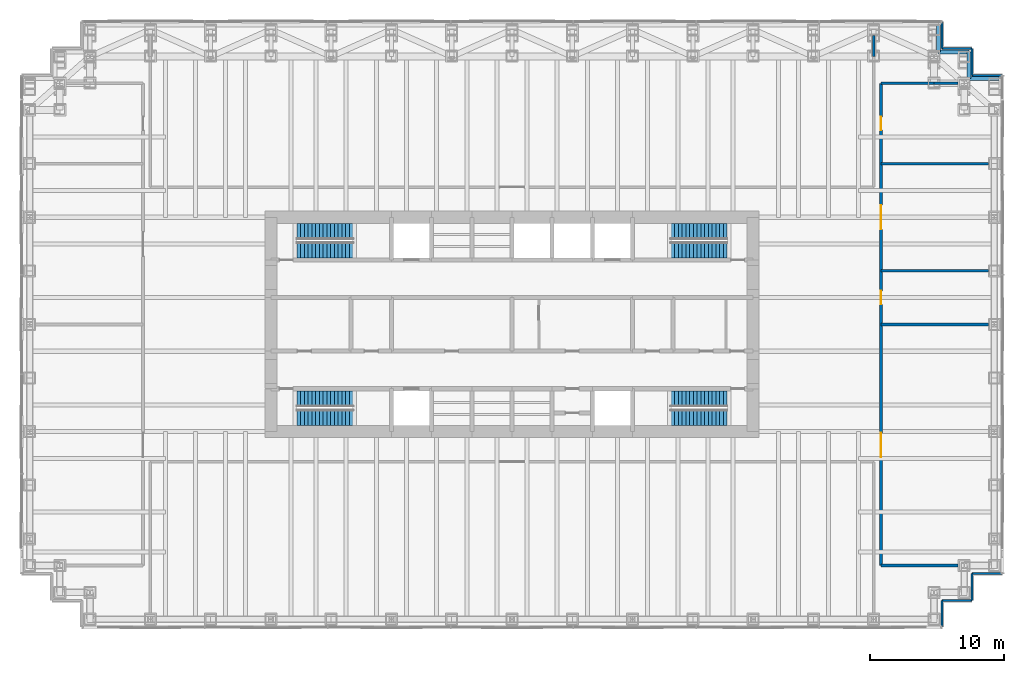
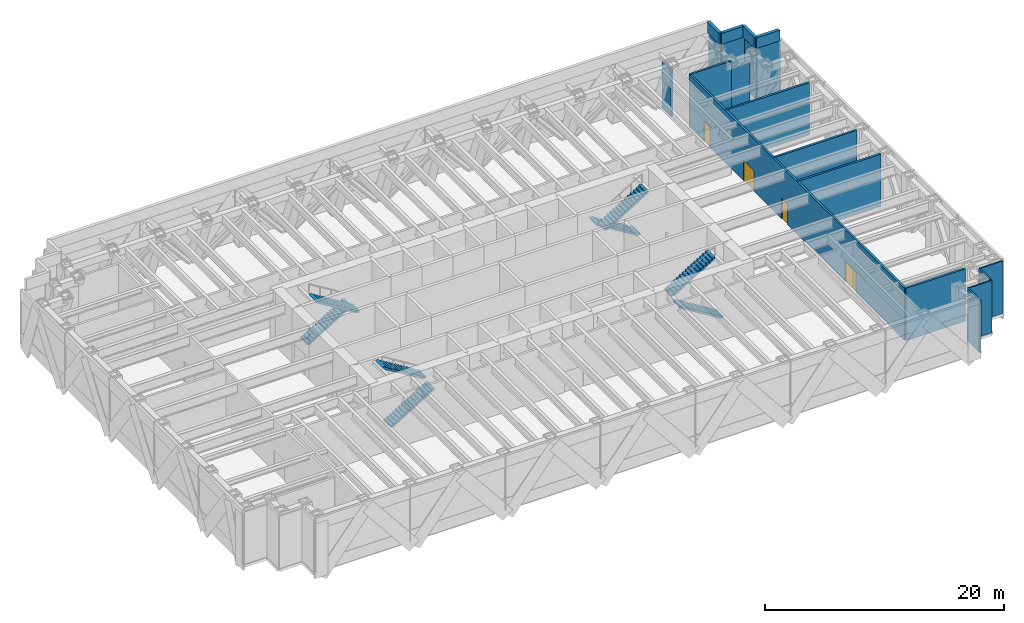
# One storey, part 15 of 16: 20 walls, 8 stair flights, 4 doors, 4 openings, 4 elements without a shape of their own.
"""IFC4 building model written with IfcOpenShell, lengths in metres."""

from ifc_helpers import new_model, si_unit, direction, frame, frame_2d, origin, place, context, subcontext, project, spatial, polyline, rectangle, outline, extrude, material, layer, layer_set, type_object, element, fill, aggregate, save


model = new_model("IFC4")

# Units and contexts
model_context = context("Model", 3, precision=1e-05, world=origin(), true_north=direction((0.0, 1.0)))
body_context = subcontext(model_context, "Body", "Model", "MODEL_VIEW")
ifc_project = project(units=[si_unit("LENGTHUNIT", "METRE"), si_unit("AREAUNIT", "SQUARE_METRE"), si_unit("VOLUMEUNIT", "CUBIC_METRE"), si_unit("PLANEANGLEUNIT", "RADIAN"), si_unit("MASSUNIT", "GRAM", prefix="KILO")], contexts=[model_context])

# Site, building, storey
site_placement = place(None, origin())
site = spatial("IfcSite", under=ifc_project, at=site_placement, CompositionType="ELEMENT")
building_placement = place(site_placement, origin())
building = spatial("IfcBuilding", under=site, at=building_placement, Name="Rheinbord Bourse Tower", CompositionType="ELEMENT")
storey_placement = place(building_placement, frame((0.0, 0.0, 180.300048828125)))
storey = spatial("IfcBuildingStorey", under=building, at=storey_placement, Name="L40", CompositionType="ELEMENT", Elevation=180.300048828125)

# Walls
ifc_material_1 = material(Name="Black metal rainscreen panel", Category="aluminium")
ifc_layer_1 = layer(ifc_material_1, 0.14990234375)
ifc_layer_set_1 = layer_set([ifc_layer_1], Name="CORNER PIER CLADDING 150")
wall_type_1 = type_object("IfcWallType", Name="CORNER PIER CLADDING 150", PredefinedType="ELEMENTEDWALL", material=ifc_layer_set_1)
wall_1_placement = place(storey_placement, frame((68.10009765625, 1.39990234375, 0.0), z_axis=(0.0, 0.0, 1.0), x_axis=(0.0, 1.0, 0.0)))
element("IfcWall", 1, at=wall_1_placement, inside=storey, type_object=wall_type_1, Name="Corner pier cladding L40 2", PredefinedType="ELEMENTEDWALL", context=body_context, shape_type="SweptSolid", body=[
    extrude(rectangle(XDim=2.0, YDim=0.14990234375, at=frame_2d((1.0, 0.0))), origin(), (0.0, 0.0, 1.0), 5.33984375),
])
wall_2_placement = place(storey_placement, frame((68.10009765625, 3.39990234375, 0.0), z_axis=(0.0, 0.0, 1.0), x_axis=(1.0, 0.0, 0.0)))
element("IfcWall", 2, at=wall_2_placement, inside=storey, type_object=wall_type_1, Name="Corner pier cladding L40 3", PredefinedType="ELEMENTEDWALL", context=body_context, shape_type="SweptSolid", body=[
    extrude(rectangle(XDim=2.25, YDim=0.14990234375, at=frame_2d((1.125, 0.0))), origin(), (0.0, 0.0, 1.0), 5.33984375),
])
wall_3_placement = place(storey_placement, frame((70.35009765625, 3.39990234375, 0.0), z_axis=(0.0, 0.0, 1.0), x_axis=(0.0, 1.0, 0.0)))
element("IfcWall", 3, at=wall_3_placement, inside=storey, type_object=wall_type_1, Name="Corner pier cladding L40 4", PredefinedType="ELEMENTEDWALL", context=body_context, shape_type="SweptSolid", body=[
    extrude(rectangle(XDim=2.0, YDim=0.14990234375, at=frame_2d((1.0, 0.0))), origin(), (0.0, 0.0, 1.0), 5.33984375),
])
for number, where, z_axis, x_axis, name in (
    (4, (70.35009765625, 5.39990234375, 0.0), (0.0, 0.0, 1.0), (1.0, 0.0, 0.0), "Corner pier cladding L40 5"),
    (5, (72.60009765625, 42.60009765625, 0.0), (0.0, 0.0, 1.0), (-1.0, 0.0, 0.0), "Corner pier cladding L40 7"),
):
    element("IfcWall", number, at=place(storey_placement, frame(where, z_axis=z_axis, x_axis=x_axis)), inside=storey, type_object=wall_type_1, Name=name, PredefinedType="ELEMENTEDWALL", context=body_context, shape_type="SweptSolid", body=[
        extrude(rectangle(XDim=2.25, YDim=0.14990234375, at=frame_2d((1.125, 0.0))), origin(), (0.0, 0.0, 1.0), 5.33984375),
    ])
wall_4_placement = place(storey_placement, frame((70.35009765625, 42.60009765625, 0.0), z_axis=(0.0, 0.0, 1.0), x_axis=(0.0, 1.0, 0.0)))
element("IfcWall", 6, at=wall_4_placement, inside=storey, type_object=wall_type_1, Name="Corner pier cladding L40 8", PredefinedType="ELEMENTEDWALL", context=body_context, shape_type="SweptSolid", body=[
    extrude(rectangle(XDim=2.0, YDim=0.14990234375, at=frame_2d((1.0, 0.0))), origin(), (0.0, 0.0, 1.0), 5.33984375),
])
wall_5_placement = place(storey_placement, frame((70.35009765625, 44.60009765625, 0.0), z_axis=(0.0, 0.0, 1.0), x_axis=(-1.0, 0.0, 0.0)))
element("IfcWall", 7, at=wall_5_placement, inside=storey, type_object=wall_type_1, Name="Corner pier cladding L40 9", PredefinedType="ELEMENTEDWALL", context=body_context, shape_type="SweptSolid", body=[
    extrude(rectangle(XDim=2.25, YDim=0.14990234375, at=frame_2d((1.125, 0.0))), origin(), (0.0, 0.0, 1.0), 5.33984375),
])
wall_6_placement = place(storey_placement, frame((68.10009765625, 44.60009765625, 0.0), z_axis=(0.0, 0.0, 1.0), x_axis=(0.0, 1.0, 0.0)))
element("IfcWall", 8, at=wall_6_placement, inside=storey, type_object=wall_type_1, Name="Corner pier cladding L40 10", PredefinedType="ELEMENTEDWALL", context=body_context, shape_type="SweptSolid", body=[
    extrude(rectangle(XDim=2.0, YDim=0.14990234375, at=frame_2d((1.0, 0.0))), origin(), (0.0, 0.0, 1.0), 5.33984375),
])
ifc_material_2 = material(Name="Concrete C30/37", Category="concrete")
ifc_layer_2 = layer(ifc_material_2, 0.300048828125)
ifc_layer_set_2 = layer_set([ifc_layer_2], Name="PARAPET 300")
wall_type_2 = type_object("IfcWallType", Name="PARAPET 300", PredefinedType="PARAPET", material=ifc_layer_set_2)
wall_7_placement = place(storey_placement, frame((72.35009765625, 42.35009765625, 5.5), z_axis=(0.0, 0.0, 1.0), x_axis=(-1.0, 0.0, 0.0)))
element("IfcWall", 9, at=wall_7_placement, inside=storey, type_object=wall_type_2, Name="Setback parapet L41 1", PredefinedType="PARAPET", context=body_context, shape_type="SweptSolid", body=[
    extrude(rectangle(XDim=2.25, YDim=0.300048828125, at=frame_2d((1.125, 0.0))), origin(), (0.0, 0.0, 1.0), 1.099853515625),
])
wall_8_placement = place(storey_placement, frame((70.10009765625, 42.35009765625, 5.5), z_axis=(0.0, 0.0, 1.0), x_axis=(0.0, 1.0, 0.0)))
element("IfcWall", 10, at=wall_8_placement, inside=storey, type_object=wall_type_2, Name="Setback parapet L41 2", PredefinedType="PARAPET", context=body_context, shape_type="SweptSolid", body=[
    extrude(rectangle(XDim=2.0, YDim=0.300048828125, at=frame_2d((1.0, 0.0))), origin(), (0.0, 0.0, 1.0), 1.099853515625),
])
wall_9_placement = place(storey_placement, frame((70.10009765625, 44.35009765625, 5.5), z_axis=(0.0, 0.0, 1.0), x_axis=(-1.0, 0.0, 0.0)))
element("IfcWall", 11, at=wall_9_placement, inside=storey, type_object=wall_type_2, Name="Setback parapet L41 3", PredefinedType="PARAPET", context=body_context, shape_type="SweptSolid", body=[
    extrude(rectangle(XDim=2.25, YDim=0.300048828125, at=frame_2d((1.125, 0.0))), origin(), (0.0, 0.0, 1.0), 1.099853515625),
])
wall_10_placement = place(storey_placement, frame((67.85009765625, 44.35009765625, 5.5), z_axis=(0.0, 0.0, 1.0), x_axis=(0.0, 1.0, 0.0)))
element("IfcWall", 12, at=wall_10_placement, inside=storey, type_object=wall_type_2, Name="Setback parapet L41 4", PredefinedType="PARAPET", context=body_context, shape_type="SweptSolid", body=[
    extrude(rectangle(XDim=2.0, YDim=0.300048828125, at=frame_2d((1.0, 0.0))), origin(), (0.0, 0.0, 1.0), 1.099853515625),
])
ifc_material_3 = material(Name="Concrete block plant room wall", Category="concrete")
ifc_layer_3 = layer(ifc_material_3, 0.199951171875)
ifc_layer_set_3 = layer_set([ifc_layer_3], Name="PLANT ROOM PARTITION 200 EI90")
wall_type_3 = type_object("IfcWallType", Name="PLANT ROOM PARTITION 200 EI90", PredefinedType="PARTITIONING", material=ifc_layer_set_3)
wall_11_placement = place(storey_placement, frame((63.550048828125, 6.0, 0.0), z_axis=(0.0, 0.0, 1.0), x_axis=(1.0, 0.0, 0.0)))
element("IfcWall", 13, at=wall_11_placement, inside=storey, type_object=wall_type_3, Name="Partition L40-02", PredefinedType="PARTITIONING", context=body_context, shape_type="SweptSolid", body=[
    extrude(rectangle(XDim=5.75, YDim=0.199951171875, at=frame_2d((2.875, 0.0))), origin(), (0.0, 0.0, 1.0), 5.33984375),
])
for number, where, z_axis, x_axis, name in (
    (14, (63.550048828125, 24.0, 0.0), (0.0, 0.0, 1.0), (1.0, 0.0, 0.0), "Partition L40-05"),
    (15, (63.550048828125, 28.0, 0.0), (0.0, 0.0, 1.0), (1.0, 0.0, 0.0), "Partition L40-06"),
    (16, (63.550048828125, 36.0, 0.0), (0.0, 0.0, 1.0), (1.0, 0.0, 0.0), "Partition L40-09"),
):
    element("IfcWall", number, at=place(storey_placement, frame(where, z_axis=z_axis, x_axis=x_axis)), inside=storey, type_object=wall_type_3, Name=name, PredefinedType="PARTITIONING", context=body_context, shape_type="SweptSolid", body=[
        extrude(rectangle(XDim=8.0, YDim=0.199951171875, at=frame_2d((4.0, 0.0))), origin(), (0.0, 0.0, 1.0), 5.33984375),
    ])
wall_12_placement = place(storey_placement, frame((63.550048828125, 42.0, 0.0), z_axis=(0.0, 0.0, 1.0), x_axis=(1.0, 0.0, 0.0)))
element("IfcWall", 17, at=wall_12_placement, inside=storey, type_object=wall_type_3, Name="Partition L40-11", PredefinedType="PARTITIONING", context=body_context, shape_type="SweptSolid", body=[
    extrude(rectangle(XDim=3.949951171875, YDim=0.199951171875, at=frame_2d((1.97509765625, 0.0))), origin(), (0.0, 0.0, 1.0), 5.33984375),
])
wall_13_placement = place(storey_placement, frame((67.5, 42.0, 0.0), z_axis=(0.0, 0.0, 1.0), x_axis=(1.0, 0.0, 0.0)))
element("IfcWall", 18, at=wall_13_placement, inside=storey, type_object=wall_type_3, Name="Partition L40-11b", PredefinedType="PARTITIONING", context=body_context, shape_type="SweptSolid", body=[
    extrude(rectangle(XDim=1.800048828125, YDim=0.199951171875, at=frame_2d((0.89990234375, 0.0))), origin(), (0.0, 0.0, 1.0), 4.639892578125),
])
wall_14_placement = place(storey_placement, frame((63.0, 44.0, 0.0), z_axis=(0.0, 0.0, 1.0), x_axis=(0.0, 1.0, 0.0)))
element("IfcWall", 19, at=wall_14_placement, inside=storey, type_object=wall_type_3, Name="Partition L40-16b", PredefinedType="PARTITIONING", context=body_context, shape_type="SweptSolid", body=[
    extrude(rectangle(XDim=1.550048828125, YDim=0.199951171875, at=frame_2d((0.77490234375, 0.0))), origin(), (0.0, 0.0, 1.0), 4.725830078125),
])

# Wall, openings, doors
wall_15_placement = place(storey_placement, frame((63.550048828125, 6.0, 0.0), z_axis=(0.0, 0.0, 1.0), x_axis=(0.0, 1.0, 0.0)))
wall_15 = element("IfcWall", 20, at=wall_15_placement, inside=storey, type_object=wall_type_3, Name="Partition L40-17", PredefinedType="PARTITIONING", context=body_context, shape_type="SweptSolid", body=[
    extrude(rectangle(XDim=36.0, YDim=0.199951171875, at=frame_2d((18.0, 0.0))), origin(), (0.0, 0.0, 1.0), 5.33984375),
])
opening_1_placement = place(wall_15_placement, frame((8.10009765625, 0.0, 0.0)))
opening_1 = element("IfcOpeningElement", 21, at=opening_1_placement, cuts=wall_15, Name="Opening 40P02", PredefinedType="OPENING", context=body_context, shape_type="SweptSolid", body=[
    extrude(rectangle(XDim=1.800048828125, YDim=2.10009765625, at=frame_2d((0.89990234375, 1.050048828125))), frame((0.0, 0.10986328125, 0.0), z_axis=(0.0, -1.0, 0.0), x_axis=(1.0, 0.0, 0.0)), (0.0, 0.0, 1.0), 0.219970703125),
])
opening_2_placement = place(wall_15_placement, frame((19.5, 0.0, 0.0)))
opening_2 = element("IfcOpeningElement", 22, at=opening_2_placement, cuts=wall_15, Name="Opening 40P04", PredefinedType="OPENING", context=body_context, shape_type="SweptSolid", body=[
    extrude(rectangle(XDim=1.0, YDim=2.10009765625, at=frame_2d((0.5, 1.050048828125))), frame((0.0, 0.10986328125, 0.0), z_axis=(0.0, -1.0, 0.0), x_axis=(1.0, 0.0, 0.0)), (0.0, 0.0, 1.0), 0.219970703125),
])
opening_3_placement = place(wall_15_placement, frame((25.10009765625, 0.0, 0.0)))
opening_3 = element("IfcOpeningElement", 23, at=opening_3_placement, cuts=wall_15, Name="Opening 40P06", PredefinedType="OPENING", context=body_context, shape_type="SweptSolid", body=[
    extrude(rectangle(XDim=1.800048828125, YDim=2.10009765625, at=frame_2d((0.89990234375, 1.050048828125))), frame((0.0, 0.10986328125, 0.0), z_axis=(0.0, -1.0, 0.0), x_axis=(1.0, 0.0, 0.0)), (0.0, 0.0, 1.0), 0.219970703125),
])
opening_4_placement = place(wall_15_placement, frame((32.5, 0.0, 0.0)))
opening_4 = element("IfcOpeningElement", 24, at=opening_4_placement, cuts=wall_15, Name="Opening 40P08", PredefinedType="OPENING", context=body_context, shape_type="SweptSolid", body=[
    extrude(rectangle(XDim=1.0, YDim=2.10009765625, at=frame_2d((0.5, 1.050048828125))), frame((0.0, 0.10986328125, 0.0), z_axis=(0.0, -1.0, 0.0), x_axis=(1.0, 0.0, 0.0)), (0.0, 0.0, 1.0), 0.219970703125),
])
ifc_material_4 = material(Name="Steel fire door", Category="steel")
door_type_1 = type_object("IfcDoorType", Name="PLANT ROOM DOOR 1000 EI60", OperationType="SINGLE_SWING_LEFT", PredefinedType="DOOR", material=ifc_material_4)
door_1_placement = place(opening_2_placement, origin())
door_1 = element("IfcDoor", 25, at=door_1_placement, inside=storey, type_object=door_type_1, Name="LV switch room door L40", OperationType="SINGLE_SWING_RIGHT", OverallHeight=2.10009765625, OverallWidth=1.0, PredefinedType="DOOR", context=body_context, shape_type="SweptSolid", body=[
    extrude(rectangle(XDim=1.0, YDim=2.10009765625, at=frame_2d((0.5, 1.050048828125))), frame((0.0, 0.02490234375, 0.0), z_axis=(0.0, -1.0, 0.0), x_axis=(1.0, 0.0, 0.0)), (0.0, 0.0, 1.0), 0.050048828125),
])
fill(opening_2, door_1)
door_2_placement = place(opening_4_placement, origin())
door_2 = element("IfcDoor", 26, at=door_2_placement, inside=storey, type_object=door_type_1, Name="Heat exchanger room door L40", OperationType="SINGLE_SWING_RIGHT", OverallHeight=2.10009765625, OverallWidth=1.0, PredefinedType="DOOR", context=body_context, shape_type="SweptSolid", body=[
    extrude(rectangle(XDim=1.0, YDim=2.10009765625, at=frame_2d((0.5, 1.050048828125))), frame((0.0, 0.02490234375, 0.0), z_axis=(0.0, -1.0, 0.0), x_axis=(1.0, 0.0, 0.0)), (0.0, 0.0, 1.0), 0.050048828125),
])
fill(opening_4, door_2)
ifc_material_5 = material(Name="Steel fire door", Category="steel")
door_type_2 = type_object("IfcDoorType", Name="PLANT ROOM DOUBLE DOOR 1800 EI60", OperationType="DOUBLE_DOOR_DOUBLE_SWING", PredefinedType="DOOR", material=ifc_material_5)
door_3_placement = place(opening_1_placement, origin())
door_3 = element("IfcDoor", 27, at=door_3_placement, inside=storey, type_object=door_type_2, Name="Air handling plant room door L40", OperationType="SINGLE_SWING_LEFT", OverallHeight=2.10009765625, OverallWidth=1.800048828125, PredefinedType="DOOR", context=body_context, shape_type="SweptSolid", body=[
    extrude(rectangle(XDim=1.800048828125, YDim=2.10009765625, at=frame_2d((0.89990234375, 1.050048828125))), frame((0.0, 0.02490234375, 0.0), z_axis=(0.0, -1.0, 0.0), x_axis=(1.0, 0.0, 0.0)), (0.0, 0.0, 1.0), 0.050048828125),
])
fill(opening_1, door_3)
door_4_placement = place(opening_3_placement, origin())
door_4 = element("IfcDoor", 28, at=door_4_placement, inside=storey, type_object=door_type_2, Name="Transformer room door L40", OperationType="SINGLE_SWING_LEFT", OverallHeight=2.10009765625, OverallWidth=1.800048828125, PredefinedType="DOOR", context=body_context, shape_type="SweptSolid", body=[
    extrude(rectangle(XDim=1.800048828125, YDim=2.10009765625, at=frame_2d((0.89990234375, 1.050048828125))), frame((0.0, 0.02490234375, 0.0), z_axis=(0.0, -1.0, 0.0), x_axis=(1.0, 0.0, 0.0)), (0.0, 0.0, 1.0), 0.050048828125),
])
fill(opening_3, door_4)

# Stair, stair flights
ifc_material_6 = material(Name="Concrete C30/37", Category="concrete")
stair_type = type_object("IfcStairType", Name="CORE STAIR HALF TURN 5500", PredefinedType="HALF_TURN_STAIR", material=ifc_material_6)
stair_1_placement = place(storey_placement, origin())
stair_1 = element("IfcStair", 29, at=stair_1_placement, inside=storey, type_object=stair_type, Name="Stair ST1 L40, type CS5", PredefinedType="HALF_TURN_STAIR")
ifc_material_7 = material(Name="Concrete C30/37", Category="concrete")
stair_flight_type = type_object("IfcStairFlightType", Name="CORE STAIR FLIGHT 1200, 16 RISERS", PredefinedType="STRAIGHT", material=ifc_material_7)
stair_flight_1_placement = place(storey_placement, frame((19.949951171875, 17.050048828125, 0.0), z_axis=(0.0, 0.0, 1.0), x_axis=(1.0, 0.0, 0.0)))
stair_flight_1 = element("IfcStairFlight", 30, at=stair_flight_1_placement, type_object=stair_flight_type, Name="STAIR L40 ST1 F1", NumberOfRisers=16, NumberOfTreads=15, PredefinedType="STRAIGHT", RiserHeight=0.171875, TreadLength=0.28, context=body_context, shape_type="SweptSolid", body=[
    extrude(outline(polyline([(0.0, 0.0), (0.0, 0.171875), (0.280029296875, 0.171875), (0.280029296875, 0.34375), (0.56005859375, 0.34375), (0.56005859375, 0.515625), (0.840087890625, 0.515625), (0.840087890625, 0.6875), (1.1201171875, 0.6875), (1.1201171875, 0.859375), (1.39990234375, 0.859375), (1.39990234375, 1.03125), (1.679931640625, 1.03125), (1.679931640625, 1.203125), (1.9599609375, 1.203125), (1.9599609375, 1.375), (2.239990234375, 1.375), (2.239990234375, 1.546875), (2.52001953125, 1.546875), (2.52001953125, 1.71875), (2.800048828125, 1.71875), (2.800048828125, 1.890625), (3.080078125, 1.890625), (3.080078125, 2.0625), (3.360107421875, 2.0625), (3.360107421875, 2.234375), (3.639892578125, 2.234375), (3.639892578125, 2.40625), (3.919921875, 2.40625), (3.919921875, 2.578125), (4.199951171875, 2.578125), (4.199951171875, 2.75), (4.199951171875, 2.40234375), (0.28662109375, 0.0), (0.0, 0.0)])), frame((0.0, 0.60009765625, 0.0), z_axis=(0.0, -1.0, 0.0), x_axis=(1.0, 0.0, 0.0)), (0.0, 0.0, 1.0), 1.199951171875),
])
stair_flight_2_placement = place(storey_placement, frame((24.14990234375, 18.449951171875, 2.75), z_axis=(0.0, 0.0, 1.0), x_axis=(-1.0, 0.0, 0.0)))
stair_flight_2 = element("IfcStairFlight", 31, at=stair_flight_2_placement, type_object=stair_flight_type, Name="STAIR L40 ST1 F2", NumberOfRisers=16, NumberOfTreads=15, PredefinedType="STRAIGHT", RiserHeight=0.171875, TreadLength=0.28, context=body_context, shape_type="SweptSolid", body=[
    extrude(outline(polyline([(0.0, 0.0), (0.0, 0.171875), (0.280029296875, 0.171875), (0.280029296875, 0.34375), (0.56005859375, 0.34375), (0.56005859375, 0.515625), (0.840087890625, 0.515625), (0.840087890625, 0.6875), (1.1201171875, 0.6875), (1.1201171875, 0.859375), (1.39990234375, 0.859375), (1.39990234375, 1.03125), (1.679931640625, 1.03125), (1.679931640625, 1.203125), (1.9599609375, 1.203125), (1.9599609375, 1.375), (2.239990234375, 1.375), (2.239990234375, 1.546875), (2.52001953125, 1.546875), (2.52001953125, 1.71875), (2.800048828125, 1.71875), (2.800048828125, 1.890625), (3.080078125, 1.890625), (3.080078125, 2.0625), (3.360107421875, 2.0625), (3.360107421875, 2.234375), (3.639892578125, 2.234375), (3.639892578125, 2.40625), (3.919921875, 2.40625), (3.919921875, 2.578125), (4.199951171875, 2.578125), (4.199951171875, 2.75), (4.199951171875, 2.40234375), (0.28662109375, 0.0), (0.0, 0.0)])), frame((0.0, 0.60009765625, 0.0), z_axis=(0.0, -1.0, 0.0), x_axis=(1.0, 0.0, 0.0)), (0.0, 0.0, 1.0), 1.199951171875),
])
aggregate(stair_1, [stair_flight_1, stair_flight_2])

stair_2_placement = place(storey_placement, origin())
stair_2 = element("IfcStair", 32, at=stair_2_placement, inside=storey, type_object=stair_type, Name="Stair ST2 L40, type CS5", PredefinedType="HALF_TURN_STAIR")
stair_flight_3_placement = place(storey_placement, frame((19.949951171875, 30.949951171875, 0.0), z_axis=(0.0, 0.0, 1.0), x_axis=(1.0, 0.0, 0.0)))
stair_flight_3 = element("IfcStairFlight", 33, at=stair_flight_3_placement, type_object=stair_flight_type, Name="STAIR L40 ST2 F1", NumberOfRisers=16, NumberOfTreads=15, PredefinedType="STRAIGHT", RiserHeight=0.171875, TreadLength=0.28, context=body_context, shape_type="SweptSolid", body=[
    extrude(outline(polyline([(0.0, 0.0), (0.0, 0.171875), (0.280029296875, 0.171875), (0.280029296875, 0.34375), (0.56005859375, 0.34375), (0.56005859375, 0.515625), (0.840087890625, 0.515625), (0.840087890625, 0.6875), (1.1201171875, 0.6875), (1.1201171875, 0.859375), (1.39990234375, 0.859375), (1.39990234375, 1.03125), (1.679931640625, 1.03125), (1.679931640625, 1.203125), (1.9599609375, 1.203125), (1.9599609375, 1.375), (2.239990234375, 1.375), (2.239990234375, 1.546875), (2.52001953125, 1.546875), (2.52001953125, 1.71875), (2.800048828125, 1.71875), (2.800048828125, 1.890625), (3.080078125, 1.890625), (3.080078125, 2.0625), (3.360107421875, 2.0625), (3.360107421875, 2.234375), (3.639892578125, 2.234375), (3.639892578125, 2.40625), (3.919921875, 2.40625), (3.919921875, 2.578125), (4.199951171875, 2.578125), (4.199951171875, 2.75), (4.199951171875, 2.40234375), (0.28662109375, 0.0), (0.0, 0.0)])), frame((0.0, 0.60009765625, 0.0), z_axis=(0.0, -1.0, 0.0), x_axis=(1.0, 0.0, 0.0)), (0.0, 0.0, 1.0), 1.199951171875),
])
stair_flight_4_placement = place(storey_placement, frame((24.14990234375, 29.550048828125, 2.75), z_axis=(0.0, 0.0, 1.0), x_axis=(-1.0, 0.0, 0.0)))
stair_flight_4 = element("IfcStairFlight", 34, at=stair_flight_4_placement, type_object=stair_flight_type, Name="STAIR L40 ST2 F2", NumberOfRisers=16, NumberOfTreads=15, PredefinedType="STRAIGHT", RiserHeight=0.171875, TreadLength=0.28, context=body_context, shape_type="SweptSolid", body=[
    extrude(outline(polyline([(0.0, 0.0), (0.0, 0.171875), (0.280029296875, 0.171875), (0.280029296875, 0.34375), (0.56005859375, 0.34375), (0.56005859375, 0.515625), (0.840087890625, 0.515625), (0.840087890625, 0.6875), (1.1201171875, 0.6875), (1.1201171875, 0.859375), (1.39990234375, 0.859375), (1.39990234375, 1.03125), (1.679931640625, 1.03125), (1.679931640625, 1.203125), (1.9599609375, 1.203125), (1.9599609375, 1.375), (2.239990234375, 1.375), (2.239990234375, 1.546875), (2.52001953125, 1.546875), (2.52001953125, 1.71875), (2.800048828125, 1.71875), (2.800048828125, 1.890625), (3.080078125, 1.890625), (3.080078125, 2.0625), (3.360107421875, 2.0625), (3.360107421875, 2.234375), (3.639892578125, 2.234375), (3.639892578125, 2.40625), (3.919921875, 2.40625), (3.919921875, 2.578125), (4.199951171875, 2.578125), (4.199951171875, 2.75), (4.199951171875, 2.40234375), (0.28662109375, 0.0), (0.0, 0.0)])), frame((0.0, 0.60009765625, 0.0), z_axis=(0.0, -1.0, 0.0), x_axis=(1.0, 0.0, 0.0)), (0.0, 0.0, 1.0), 1.199951171875),
])
aggregate(stair_2, [stair_flight_3, stair_flight_4])

stair_3_placement = place(storey_placement, origin())
stair_3 = element("IfcStair", 35, at=stair_3_placement, inside=storey, type_object=stair_type, Name="Stair ST3 L40, type CS5", PredefinedType="HALF_TURN_STAIR")
stair_flight_5_placement = place(storey_placement, frame((52.050048828125, 17.050048828125, 0.0), z_axis=(0.0, 0.0, 1.0), x_axis=(-1.0, 0.0, 0.0)))
stair_flight_5 = element("IfcStairFlight", 36, at=stair_flight_5_placement, type_object=stair_flight_type, Name="STAIR L40 ST3 F1", NumberOfRisers=16, NumberOfTreads=15, PredefinedType="STRAIGHT", RiserHeight=0.171875, TreadLength=0.28, context=body_context, shape_type="SweptSolid", body=[
    extrude(outline(polyline([(0.0, 0.0), (0.0, 0.171875), (0.280029296875, 0.171875), (0.280029296875, 0.34375), (0.56005859375, 0.34375), (0.56005859375, 0.515625), (0.840087890625, 0.515625), (0.840087890625, 0.6875), (1.1201171875, 0.6875), (1.1201171875, 0.859375), (1.39990234375, 0.859375), (1.39990234375, 1.03125), (1.679931640625, 1.03125), (1.679931640625, 1.203125), (1.9599609375, 1.203125), (1.9599609375, 1.375), (2.239990234375, 1.375), (2.239990234375, 1.546875), (2.52001953125, 1.546875), (2.52001953125, 1.71875), (2.800048828125, 1.71875), (2.800048828125, 1.890625), (3.080078125, 1.890625), (3.080078125, 2.0625), (3.360107421875, 2.0625), (3.360107421875, 2.234375), (3.639892578125, 2.234375), (3.639892578125, 2.40625), (3.919921875, 2.40625), (3.919921875, 2.578125), (4.199951171875, 2.578125), (4.199951171875, 2.75), (4.199951171875, 2.40234375), (0.28662109375, 0.0), (0.0, 0.0)])), frame((0.0, 0.60009765625, 0.0), z_axis=(0.0, -1.0, 0.0), x_axis=(1.0, 0.0, 0.0)), (0.0, 0.0, 1.0), 1.199951171875),
])
stair_flight_6_placement = place(storey_placement, frame((47.85009765625, 18.449951171875, 2.75), z_axis=(0.0, 0.0, 1.0), x_axis=(1.0, 0.0, 0.0)))
stair_flight_6 = element("IfcStairFlight", 37, at=stair_flight_6_placement, type_object=stair_flight_type, Name="STAIR L40 ST3 F2", NumberOfRisers=16, NumberOfTreads=15, PredefinedType="STRAIGHT", RiserHeight=0.171875, TreadLength=0.28, context=body_context, shape_type="SweptSolid", body=[
    extrude(outline(polyline([(0.0, 0.0), (0.0, 0.171875), (0.280029296875, 0.171875), (0.280029296875, 0.34375), (0.56005859375, 0.34375), (0.56005859375, 0.515625), (0.840087890625, 0.515625), (0.840087890625, 0.6875), (1.1201171875, 0.6875), (1.1201171875, 0.859375), (1.39990234375, 0.859375), (1.39990234375, 1.03125), (1.679931640625, 1.03125), (1.679931640625, 1.203125), (1.9599609375, 1.203125), (1.9599609375, 1.375), (2.239990234375, 1.375), (2.239990234375, 1.546875), (2.52001953125, 1.546875), (2.52001953125, 1.71875), (2.800048828125, 1.71875), (2.800048828125, 1.890625), (3.080078125, 1.890625), (3.080078125, 2.0625), (3.360107421875, 2.0625), (3.360107421875, 2.234375), (3.639892578125, 2.234375), (3.639892578125, 2.40625), (3.919921875, 2.40625), (3.919921875, 2.578125), (4.199951171875, 2.578125), (4.199951171875, 2.75), (4.199951171875, 2.40234375), (0.28662109375, 0.0), (0.0, 0.0)])), frame((0.0, 0.60009765625, 0.0), z_axis=(0.0, -1.0, 0.0), x_axis=(1.0, 0.0, 0.0)), (0.0, 0.0, 1.0), 1.199951171875),
])
aggregate(stair_3, [stair_flight_5, stair_flight_6])

stair_4_placement = place(storey_placement, origin())
stair_4 = element("IfcStair", 38, at=stair_4_placement, inside=storey, type_object=stair_type, Name="Stair ST4 L40, type CS5", PredefinedType="HALF_TURN_STAIR")
stair_flight_7_placement = place(storey_placement, frame((52.050048828125, 30.949951171875, 0.0), z_axis=(0.0, 0.0, 1.0), x_axis=(-1.0, 0.0, 0.0)))
stair_flight_7 = element("IfcStairFlight", 39, at=stair_flight_7_placement, type_object=stair_flight_type, Name="STAIR L40 ST4 F1", NumberOfRisers=16, NumberOfTreads=15, PredefinedType="STRAIGHT", RiserHeight=0.171875, TreadLength=0.28, context=body_context, shape_type="SweptSolid", body=[
    extrude(outline(polyline([(0.0, 0.0), (0.0, 0.171875), (0.280029296875, 0.171875), (0.280029296875, 0.34375), (0.56005859375, 0.34375), (0.56005859375, 0.515625), (0.840087890625, 0.515625), (0.840087890625, 0.6875), (1.1201171875, 0.6875), (1.1201171875, 0.859375), (1.39990234375, 0.859375), (1.39990234375, 1.03125), (1.679931640625, 1.03125), (1.679931640625, 1.203125), (1.9599609375, 1.203125), (1.9599609375, 1.375), (2.239990234375, 1.375), (2.239990234375, 1.546875), (2.52001953125, 1.546875), (2.52001953125, 1.71875), (2.800048828125, 1.71875), (2.800048828125, 1.890625), (3.080078125, 1.890625), (3.080078125, 2.0625), (3.360107421875, 2.0625), (3.360107421875, 2.234375), (3.639892578125, 2.234375), (3.639892578125, 2.40625), (3.919921875, 2.40625), (3.919921875, 2.578125), (4.199951171875, 2.578125), (4.199951171875, 2.75), (4.199951171875, 2.40234375), (0.28662109375, 0.0), (0.0, 0.0)])), frame((0.0, 0.60009765625, 0.0), z_axis=(0.0, -1.0, 0.0), x_axis=(1.0, 0.0, 0.0)), (0.0, 0.0, 1.0), 1.199951171875),
])
stair_flight_8_placement = place(storey_placement, frame((47.85009765625, 29.550048828125, 2.75), z_axis=(0.0, 0.0, 1.0), x_axis=(1.0, 0.0, 0.0)))
stair_flight_8 = element("IfcStairFlight", 40, at=stair_flight_8_placement, type_object=stair_flight_type, Name="STAIR L40 ST4 F2", NumberOfRisers=16, NumberOfTreads=15, PredefinedType="STRAIGHT", RiserHeight=0.171875, TreadLength=0.28, context=body_context, shape_type="SweptSolid", body=[
    extrude(outline(polyline([(0.0, 0.0), (0.0, 0.171875), (0.280029296875, 0.171875), (0.280029296875, 0.34375), (0.56005859375, 0.34375), (0.56005859375, 0.515625), (0.840087890625, 0.515625), (0.840087890625, 0.6875), (1.1201171875, 0.6875), (1.1201171875, 0.859375), (1.39990234375, 0.859375), (1.39990234375, 1.03125), (1.679931640625, 1.03125), (1.679931640625, 1.203125), (1.9599609375, 1.203125), (1.9599609375, 1.375), (2.239990234375, 1.375), (2.239990234375, 1.546875), (2.52001953125, 1.546875), (2.52001953125, 1.71875), (2.800048828125, 1.71875), (2.800048828125, 1.890625), (3.080078125, 1.890625), (3.080078125, 2.0625), (3.360107421875, 2.0625), (3.360107421875, 2.234375), (3.639892578125, 2.234375), (3.639892578125, 2.40625), (3.919921875, 2.40625), (3.919921875, 2.578125), (4.199951171875, 2.578125), (4.199951171875, 2.75), (4.199951171875, 2.40234375), (0.28662109375, 0.0), (0.0, 0.0)])), frame((0.0, 0.60009765625, 0.0), z_axis=(0.0, -1.0, 0.0), x_axis=(1.0, 0.0, 0.0)), (0.0, 0.0, 1.0), 1.199951171875),
])
aggregate(stair_4, [stair_flight_7, stair_flight_8])

save(model, "model.ifc")
